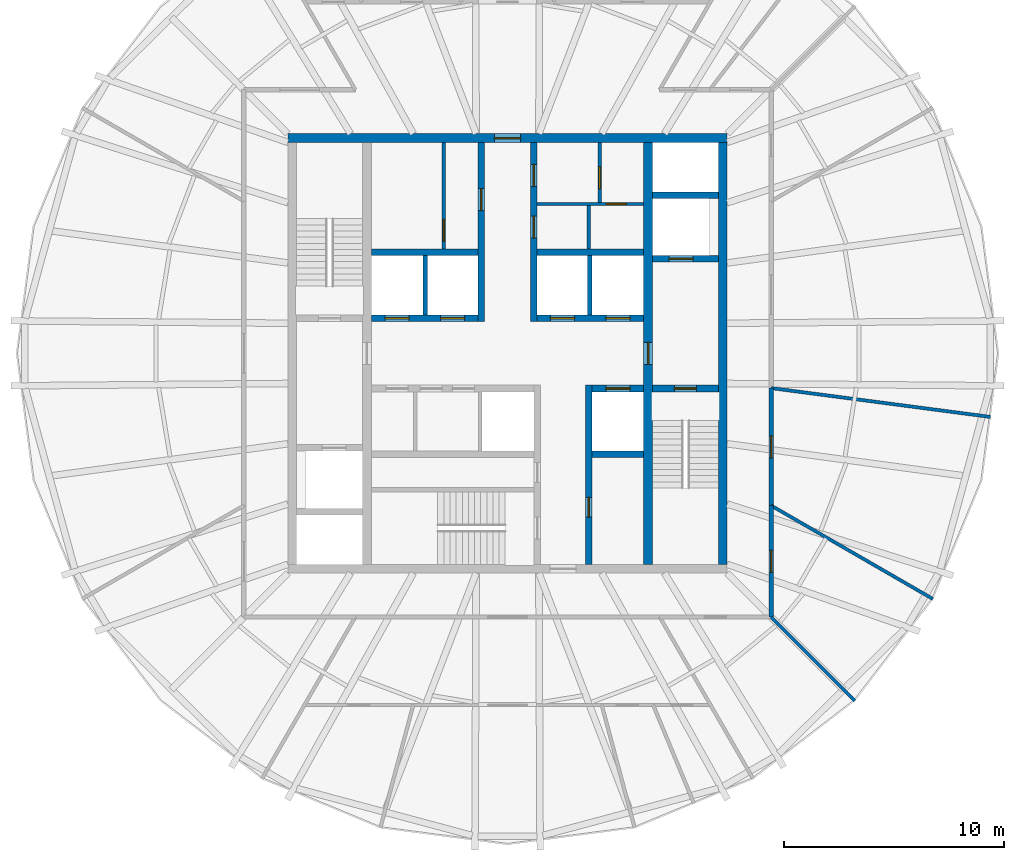
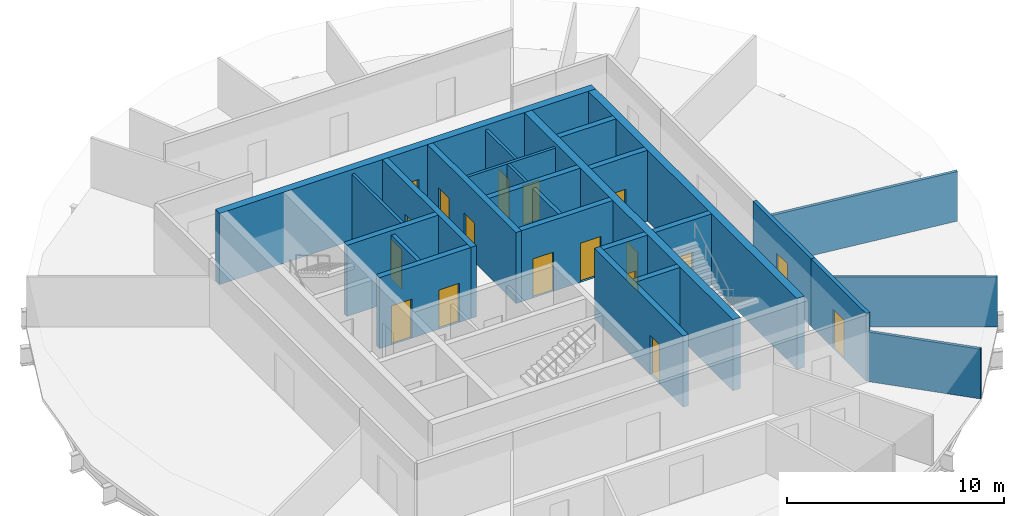
# One storey, part 4 of 6: 26 walls, 18 doors, 18 openings.
"""IFC4 building model written with IfcOpenShell, lengths in metres."""

from ifc_helpers import new_model, si_unit, direction, frame, frame_2d, origin, place, context, subcontext, project, spatial, rectangle, extrude, material, layer, layer_set, type_object, element, fill, save


model = new_model("IFC4")

# Units and contexts
model_context = context("Model", 3, precision=1e-05, world=origin(), true_north=direction((0.0, 1.0)))
body_context = subcontext(model_context, "Body", "Model", "MODEL_VIEW")
ifc_project = project(units=[si_unit("LENGTHUNIT", "METRE"), si_unit("AREAUNIT", "SQUARE_METRE"), si_unit("VOLUMEUNIT", "CUBIC_METRE"), si_unit("PLANEANGLEUNIT", "RADIAN"), si_unit("MASSUNIT", "GRAM", prefix="KILO")], contexts=[model_context])

# Site, building, storey
site_placement = place(None, origin())
site = spatial("IfcSite", under=ifc_project, at=site_placement, CompositionType="ELEMENT")
building_placement = place(site_placement, origin())
building = spatial("IfcBuilding", under=site, at=building_placement, Name="Golbaran Civic Tower", CompositionType="ELEMENT")
storey_placement = place(building_placement, frame((0.0, 0.0, 252.0)))
storey = spatial("IfcBuildingStorey", under=building, at=storey_placement, Name="L61", CompositionType="ELEMENT", Elevation=252.0)

# Wall, opening, door
ifc_material_1 = material(Name="Concrete block", Category="concrete")
ifc_layer_1 = layer(ifc_material_1, 0.14990234375, Name="Concrete block")
ifc_layer_set_1 = layer_set([ifc_layer_1], Name="Concrete block")
wall_type_1 = type_object("IfcWallType", Name="BLOCKWORK PARTITION 150", PredefinedType="PARTITIONING", material=ifc_layer_set_1)
wall_1_placement = place(storey_placement, frame((1.35009765625, 6.800048828125, 0.0), z_axis=(0.0, 0.0, 1.0), x_axis=(1.0, 0.0, 0.0)))
wall_1 = element("IfcWall", 1, at=wall_1_placement, inside=storey, type_object=wall_type_1, Name="Toilet block partition TN1 L61", PredefinedType="PARTITIONING", context=body_context, shape_type="SweptSolid", body=[
    extrude(rectangle(XDim=4.849853515625, YDim=0.14990234375, at=frame_2d((2.4248046875, 0.0))), origin(), (0.0, 0.0, 1.0), 3.75),
])
opening_1_placement = place(wall_1_placement, frame((3.14990234375, 0.0, 0.0)))
opening_1 = element("IfcOpeningElement", 2, at=opening_1_placement, cuts=wall_1, Name="Opening L61.CLN", PredefinedType="OPENING", context=body_context, shape_type="SweptSolid", body=[
    extrude(rectangle(XDim=0.89990234375, YDim=2.199951171875, at=frame_2d((0.449951171875, 1.10009765625))), frame((0.0, 0.0849609375, 0.0), z_axis=(0.0, -1.0, 0.0), x_axis=(1.0, 0.0, 0.0)), (0.0, 0.0, 1.0), 0.169921875),
])
ifc_material_2 = material(Name="Timber door set in steel frame", Category="steel")
door_type_1 = type_object("IfcDoorType", Name="RISER DOOR 900x2200", OperationType="SINGLE_SWING_LEFT", PredefinedType="DOOR", material=ifc_material_2)
door_1_placement = place(opening_1_placement, origin())
door_1 = element("IfcDoor", 3, at=door_1_placement, inside=storey, type_object=door_type_1, Name="Sanitary Supplies Store door", OperationType="SINGLE_SWING_RIGHT", OverallHeight=2.199951171875, OverallWidth=0.89990234375, PredefinedType="DOOR", context=body_context, shape_type="SweptSolid", body=[
    extrude(rectangle(XDim=0.89990234375, YDim=2.199951171875, at=frame_2d((0.449951171875, 1.10009765625))), frame((0.0, 0.02490234375, 0.0), z_axis=(0.0, -1.0, 0.0), x_axis=(1.0, 0.0, 0.0)), (0.0, 0.0, 1.0), 0.050048828125),
])
fill(opening_1, door_1)

# Wall
wall_2_placement = place(storey_placement, frame((3.699951171875, 4.75, 0.0), z_axis=(0.0, 0.0, 1.0), x_axis=(0.0, 1.0, 0.0)))
element("IfcWall", 4, at=wall_2_placement, inside=storey, type_object=wall_type_1, Name="Toilet block partition TN2 L61", PredefinedType="PARTITIONING", context=body_context, shape_type="SweptSolid", body=[
    extrude(rectangle(XDim=1.97509765625, YDim=0.14990234375, at=frame_2d((0.987548828125, 0.0))), origin(), (0.0, 0.0, 1.0), 3.75),
])

# Wall, opening, door
ifc_material_3 = material(Name="Concrete C50/60", Category="concrete")
ifc_layer_2 = layer(ifc_material_3, 0.39990234375, Name="Concrete C50/60")
ifc_layer_set_2 = layer_set([ifc_layer_2], Name="Concrete C50/60")
wall_type_2 = type_object("IfcWallType", Name="CORE WALL CONCRETE 400", PredefinedType="SOLIDWALL", material=ifc_layer_set_2)
wall_3_placement = place(storey_placement, frame((-10.0, 9.800048828125, 0.0), z_axis=(0.0, 0.0, 1.0), x_axis=(1.0, 0.0, 0.0)))
wall_3 = element("IfcWall", 5, at=wall_3_placement, inside=storey, type_object=wall_type_2, Name="Core wall CN L61", PredefinedType="SOLIDWALL", context=body_context, shape_type="SweptSolid", body=[
    extrude(rectangle(XDim=20.0, YDim=0.39990234375, at=frame_2d((10.0, 0.0))), origin(), (0.0, 0.0, 1.0), 4.0),
])
opening_2_placement = place(wall_3_placement, frame((9.39990234375, 0.0, 0.0)))
opening_2 = element("IfcOpeningElement", 6, at=opening_2_placement, cuts=wall_3, Name="Opening L61.CN", PredefinedType="OPENING", context=body_context, shape_type="SweptSolid", body=[
    extrude(rectangle(XDim=1.199951171875, YDim=2.199951171875, at=frame_2d((0.60009765625, 1.10009765625))), frame((0.0, 0.2099609375, 0.0), z_axis=(0.0, -1.0, 0.0), x_axis=(1.0, 0.0, 0.0)), (0.0, 0.0, 1.0), 0.419921875),
])
door_type_2 = type_object("IfcDoorType", Name="CORE DOOR 1200x2200", OperationType="DOUBLE_DOOR_SINGLE_SWING", PredefinedType="DOOR", material=ifc_material_2)
door_2_placement = place(opening_2_placement, origin())
door_2 = element("IfcDoor", 7, at=door_2_placement, inside=storey, type_object=door_type_2, Name="Core door north", OperationType="DOUBLE_DOOR_SINGLE_SWING", OverallHeight=2.199951171875, OverallWidth=1.199951171875, PredefinedType="DOOR", context=body_context, shape_type="SweptSolid", body=[
    extrude(rectangle(XDim=1.199951171875, YDim=2.199951171875, at=frame_2d((0.60009765625, 1.10009765625))), frame((0.0, 0.02490234375, 0.0), z_axis=(0.0, -1.0, 0.0), x_axis=(1.0, 0.0, 0.0)), (0.0, 0.0, 1.0), 0.050048828125),
])
fill(opening_2, door_2)

# Wall
wall_4_placement = place(storey_placement, frame((9.800048828125, -9.60009765625, 0.0), z_axis=(0.0, 0.0, 1.0), x_axis=(0.0, 1.0, 0.0)))
element("IfcWall", 8, at=wall_4_placement, inside=storey, type_object=wall_type_2, Name="Core wall CE L61", PredefinedType="SOLIDWALL", context=body_context, shape_type="SweptSolid", body=[
    extrude(rectangle(XDim=19.2001953125, YDim=0.39990234375, at=frame_2d((9.60009765625, 0.0))), origin(), (0.0, 0.0, 1.0), 4.0),
])

# Wall, opening, door
wall_5_placement = place(storey_placement, frame((6.39990234375, 9.60009765625, 0.0), z_axis=(0.0, 0.0, 1.0), x_axis=(0.0, -1.0, 0.0)))
wall_5 = element("IfcWall", 9, at=wall_5_placement, inside=storey, type_object=wall_type_2, Name="Core wall IE L61", PredefinedType="SOLIDWALL", context=body_context, shape_type="SweptSolid", body=[
    extrude(rectangle(XDim=19.2001953125, YDim=0.39990234375, at=frame_2d((9.60009765625, 0.0))), origin(), (0.0, 0.0, 1.0), 4.0),
])
opening_3_placement = place(wall_5_placement, frame((9.10009765625, 0.0, 0.0)))
opening_3 = element("IfcOpeningElement", 10, at=opening_3_placement, cuts=wall_5, Name="Opening L61.FL2", PredefinedType="OPENING", context=body_context, shape_type="SweptSolid", body=[
    extrude(rectangle(XDim=1.0, YDim=2.199951171875, at=frame_2d((0.5, 1.10009765625))), frame((0.0, 0.2099609375, 0.0), z_axis=(0.0, -1.0, 0.0), x_axis=(1.0, 0.0, 0.0)), (0.0, 0.0, 1.0), 0.419921875),
])
door_type_3 = type_object("IfcDoorType", Name="STAIR DOOR 1000x2200", OperationType="SINGLE_SWING_LEFT", PredefinedType="DOOR", material=ifc_material_2)
door_3_placement = place(opening_3_placement, origin())
door_3 = element("IfcDoor", 11, at=door_3_placement, inside=storey, type_object=door_type_3, Name="Fire-fighting lobby FL2 door", OperationType="SINGLE_SWING_RIGHT", OverallHeight=2.199951171875, OverallWidth=1.0, PredefinedType="DOOR", context=body_context, shape_type="SweptSolid", body=[
    extrude(rectangle(XDim=1.0, YDim=2.199951171875, at=frame_2d((0.5, 1.10009765625))), frame((0.0, 0.02490234375, 0.0), z_axis=(0.0, -1.0, 0.0), x_axis=(1.0, 0.0, 0.0)), (0.0, 0.0, 1.0), 0.050048828125),
])
fill(opening_3, door_3)

ifc_material_4 = material(Name="Gypsum board on steel studs, fire-rated", Category="steel")
ifc_layer_3 = layer(ifc_material_4, 0.199951171875, Name="Gypsum board on steel studs, fire-rated")
ifc_layer_set_3 = layer_set([ifc_layer_3], Name="Gypsum board on steel studs, fire-rated")
wall_type_3 = type_object("IfcWallType", Name="CORRIDOR WALL 200", PredefinedType="PARTITIONING", material=ifc_layer_set_3)
wall_6_placement = place(storey_placement, frame((12.0, -6.92822265625, 0.0), z_axis=(0.0, 0.0, 1.0), x_axis=(0.0, 1.0, 0.0)))
wall_6 = element("IfcWall", 12, at=wall_6_placement, inside=storey, type_object=wall_type_3, Name="Corridor wall L61", PredefinedType="PARTITIONING", context=body_context, shape_type="SweptSolid", body=[
    extrude(rectangle(XDim=5.348388671875, YDim=0.199951171875, at=frame_2d((2.67431640625, 0.0))), origin(), (0.0, 0.0, 1.0), 3.800048828125),
])
opening_4_placement = place(wall_6_placement, frame((2.174072265625, 0.0, 0.0)))
opening_4 = element("IfcOpeningElement", 13, at=opening_4_placement, cuts=wall_6, Name="Opening L61.10", PredefinedType="OPENING", context=body_context, shape_type="SweptSolid", body=[
    extrude(rectangle(XDim=1.0, YDim=2.199951171875, at=frame_2d((0.5, 1.10009765625))), frame((0.0, 0.10986328125, 0.0), z_axis=(0.0, -1.0, 0.0), x_axis=(1.0, 0.0, 0.0)), (0.0, 0.0, 1.0), 0.219970703125),
])
door_type_4 = type_object("IfcDoorType", Name="OFFICE DOOR 1000x2200", OperationType="SINGLE_SWING_LEFT", PredefinedType="DOOR", material=ifc_material_2)
door_4_placement = place(opening_4_placement, origin())
door_4 = element("IfcDoor", 14, at=door_4_placement, inside=storey, type_object=door_type_4, Name="Meeting Room door L61", OperationType="SINGLE_SWING_LEFT", OverallHeight=2.199951171875, OverallWidth=1.0, PredefinedType="DOOR", context=body_context, shape_type="SweptSolid", body=[
    extrude(rectangle(XDim=1.0, YDim=2.199951171875, at=frame_2d((0.5, 1.10009765625))), frame((0.0, 0.02490234375, 0.0), z_axis=(0.0, -1.0, 0.0), x_axis=(1.0, 0.0, 0.0)), (0.0, 0.0, 1.0), 0.050048828125),
])
fill(opening_4, door_4)

wall_7_placement = place(storey_placement, frame((12.0, -12.0, 0.0), z_axis=(0.0, 0.0, 1.0), x_axis=(0.0, 1.0, 0.0)))
wall_7 = element("IfcWall", 15, at=wall_7_placement, inside=storey, type_object=wall_type_3, Name="Corridor wall L61", PredefinedType="PARTITIONING", context=body_context, shape_type="SweptSolid", body=[
    extrude(rectangle(XDim=5.07177734375, YDim=0.199951171875, at=frame_2d((2.535888671875, 0.0))), origin(), (0.0, 0.0, 1.0), 3.800048828125),
])
opening_5_placement = place(wall_7_placement, frame((2.035888671875, 0.0, 0.0)))
opening_5 = element("IfcOpeningElement", 16, at=opening_5_placement, cuts=wall_7, Name="Opening L61.20", PredefinedType="OPENING", context=body_context, shape_type="SweptSolid", body=[
    extrude(rectangle(XDim=1.0, YDim=2.199951171875, at=frame_2d((0.5, 1.10009765625))), frame((0.0, 0.10986328125, 0.0), z_axis=(0.0, -1.0, 0.0), x_axis=(1.0, 0.0, 0.0)), (0.0, 0.0, 1.0), 0.219970703125),
])
door_5_placement = place(opening_5_placement, origin())
door_5 = element("IfcDoor", 17, at=door_5_placement, inside=storey, type_object=door_type_4, Name="Store door L61", OperationType="SINGLE_SWING_LEFT", OverallHeight=2.199951171875, OverallWidth=1.0, PredefinedType="DOOR", context=body_context, shape_type="SweptSolid", body=[
    extrude(rectangle(XDim=1.0, YDim=2.199951171875, at=frame_2d((0.5, 1.10009765625))), frame((0.0, 0.02490234375, 0.0), z_axis=(0.0, -1.0, 0.0), x_axis=(1.0, 0.0, 0.0)), (0.0, 0.0, 1.0), 0.050048828125),
])
fill(opening_5, door_5)

# Walls
ifc_layer_4 = layer(ifc_material_1, 0.199951171875, Name="Concrete block")
ifc_layer_set_4 = layer_set([ifc_layer_4], Name="Concrete block")
wall_type_4 = type_object("IfcWallType", Name="LIFT SEPARATOR WALL 200", PredefinedType="SOLIDWALL", material=ifc_layer_set_4)
for number, where, z_axis, x_axis, name in (
    (18, (-3.75, 1.75, 0.0), (0.0, 0.0, 1.0), (0.0, 1.0, 0.0), "Core partition SNW L61"),
    (19, (3.75, 1.75, 0.0), (0.0, 0.0, 1.0), (0.0, 1.0, 0.0), "Core partition SNE L61"),
):
    element("IfcWall", number, at=place(storey_placement, frame(where, z_axis=z_axis, x_axis=x_axis)), inside=storey, type_object=wall_type_4, Name=name, PredefinedType="SOLIDWALL", context=body_context, shape_type="SweptSolid", body=[
        extrude(rectangle(XDim=2.699951171875, YDim=0.199951171875, at=frame_2d((1.35009765625, 0.0))), origin(), (0.0, 0.0, 1.0), 3.75),
    ])
ifc_material_5 = material(Name="Gypsum board on steel studs", Category="steel")
ifc_layer_5 = layer(ifc_material_5, 0.14990234375, Name="Gypsum board on steel studs")
ifc_layer_set_5 = layer_set([ifc_layer_5], Name="Gypsum board on steel studs")
wall_type_5 = type_object("IfcWallType", Name="OFFICE PARTITION 150", PredefinedType="PARTITIONING", material=ifc_layer_set_5)
wall_8_placement = place(storey_placement, frame((12.0, -6.92822265625, 0.0), z_axis=(0.0, 0.0, 1.0), x_axis=(0.866026401553, -0.49999827181, 0.0)))
element("IfcWall", 20, at=wall_8_placement, inside=storey, type_object=wall_type_5, Name="Partition 330 L61", PredefinedType="PARTITIONING", context=body_context, shape_type="SweptSolid", body=[
    extrude(rectangle(XDim=8.5048828125, YDim=0.14990234375, at=frame_2d((4.25244140625, 0.0))), origin(), (0.0, 0.0, 1.0), 2.7900390625),
])
wall_9_placement = place(storey_placement, frame((12.0, -1.579833984375, 0.0), z_axis=(0.0, 0.0, 1.0), x_axis=(0.991444304105, -0.130530425027, 0.0)))
element("IfcWall", 21, at=wall_9_placement, inside=storey, type_object=wall_type_5, Name="Partition 352.5 L61", PredefinedType="PARTITIONING", context=body_context, shape_type="SweptSolid", body=[
    extrude(rectangle(XDim=10.06640625, YDim=0.14990234375, at=frame_2d((5.033203125, 0.0))), origin(), (0.0, 0.0, 1.0), 2.7900390625),
])
wall_10_placement = place(storey_placement, frame((12.0, -12.0, 0.0), z_axis=(0.0, 0.0, 1.0), x_axis=(0.707106781187, -0.707106781187, 0.0)))
element("IfcWall", 22, at=wall_10_placement, inside=storey, type_object=wall_type_5, Name="Partition 315 L61", PredefinedType="PARTITIONING", context=body_context, shape_type="SweptSolid", body=[
    extrude(rectangle(XDim=5.390625, YDim=0.14990234375, at=frame_2d((2.6953125, 0.0))), origin(), (0.0, 0.0, 1.0), 2.7900390625),
])

# Wall, openings, doors
ifc_layer_6 = layer(ifc_material_3, 0.300048828125, Name="Concrete C50/60")
ifc_layer_set_6 = layer_set([ifc_layer_6], Name="Concrete C50/60")
wall_type_6 = type_object("IfcWallType", Name="SHAFT WALL CONCRETE 300", PredefinedType="SOLIDWALL", material=ifc_layer_set_6)
wall_11_placement = place(storey_placement, frame((-6.199951171875, 1.60009765625, 0.0), z_axis=(0.0, 0.0, 1.0), x_axis=(1.0, 0.0, 0.0)))
wall_11 = element("IfcWall", 23, at=wall_11_placement, inside=storey, type_object=wall_type_6, Name="Core wall FNW L61", PredefinedType="SOLIDWALL", context=body_context, shape_type="SweptSolid", body=[
    extrude(rectangle(XDim=4.849853515625, YDim=0.300048828125, at=frame_2d((2.4248046875, 0.0))), origin(), (0.0, 0.0, 1.0), 4.0),
])
opening_6_placement = place(wall_11_placement, frame((0.625, 0.0, 0.0)))
opening_6 = element("IfcOpeningElement", 24, at=opening_6_placement, cuts=wall_11, Name="Opening L61.LD-Z1T", PredefinedType="OPENING", context=body_context, shape_type="SweptSolid", body=[
    extrude(rectangle(XDim=1.10009765625, YDim=2.199951171875, at=frame_2d((0.550048828125, 1.10009765625))), frame((0.0, 0.159912109375, 0.0), z_axis=(0.0, -1.0, 0.0), x_axis=(1.0, 0.0, 0.0)), (0.0, 0.0, 1.0), 0.320068359375),
])
opening_7_placement = place(wall_11_placement, frame((3.14990234375, 0.0, 0.0)))
opening_7 = element("IfcOpeningElement", 25, at=opening_7_placement, cuts=wall_11, Name="Opening L61.LD-Z2T", PredefinedType="OPENING", context=body_context, shape_type="SweptSolid", body=[
    extrude(rectangle(XDim=1.10009765625, YDim=2.199951171875, at=frame_2d((0.550048828125, 1.10009765625))), frame((0.0, 0.159912109375, 0.0), z_axis=(0.0, -1.0, 0.0), x_axis=(1.0, 0.0, 0.0)), (0.0, 0.0, 1.0), 0.320068359375),
])
ifc_material_6 = material(Name="Stainless steel", Category="steel")
door_type_5 = type_object("IfcDoorType", Name="LIFT LANDING DOOR 1100x2200", OperationType="SLIDING_TO_LEFT", PredefinedType="DOOR", material=ifc_material_6)
door_6_placement = place(opening_6_placement, origin())
door_6 = element("IfcDoor", 26, at=door_6_placement, inside=storey, type_object=door_type_5, Name="Lift landing door Z1T", OperationType="SLIDING_TO_LEFT", OverallHeight=2.199951171875, OverallWidth=1.10009765625, PredefinedType="DOOR", context=body_context, shape_type="SweptSolid", body=[
    extrude(rectangle(XDim=1.10009765625, YDim=2.199951171875, at=frame_2d((0.550048828125, 1.10009765625))), frame((0.0, 0.02490234375, 0.0), z_axis=(0.0, -1.0, 0.0), x_axis=(1.0, 0.0, 0.0)), (0.0, 0.0, 1.0), 0.050048828125),
])
fill(opening_6, door_6)
door_7_placement = place(opening_7_placement, origin())
door_7 = element("IfcDoor", 27, at=door_7_placement, inside=storey, type_object=door_type_5, Name="Lift landing door Z2T", OperationType="SLIDING_TO_LEFT", OverallHeight=2.199951171875, OverallWidth=1.10009765625, PredefinedType="DOOR", context=body_context, shape_type="SweptSolid", body=[
    extrude(rectangle(XDim=1.10009765625, YDim=2.199951171875, at=frame_2d((0.550048828125, 1.10009765625))), frame((0.0, 0.02490234375, 0.0), z_axis=(0.0, -1.0, 0.0), x_axis=(1.0, 0.0, 0.0)), (0.0, 0.0, 1.0), 0.050048828125),
])
fill(opening_7, door_7)

wall_12_placement = place(storey_placement, frame((1.35009765625, 1.60009765625, 0.0), z_axis=(0.0, 0.0, 1.0), x_axis=(1.0, 0.0, 0.0)))
wall_12 = element("IfcWall", 28, at=wall_12_placement, inside=storey, type_object=wall_type_6, Name="Core wall FNE L61", PredefinedType="SOLIDWALL", context=body_context, shape_type="SweptSolid", body=[
    extrude(rectangle(XDim=4.849853515625, YDim=0.300048828125, at=frame_2d((2.4248046875, 0.0))), origin(), (0.0, 0.0, 1.0), 4.0),
])
opening_8_placement = place(wall_12_placement, frame((0.60009765625, 0.0, 0.0)))
opening_8 = element("IfcOpeningElement", 29, at=opening_8_placement, cuts=wall_12, Name="Opening L61.LD-Z3T", PredefinedType="OPENING", context=body_context, shape_type="SweptSolid", body=[
    extrude(rectangle(XDim=1.10009765625, YDim=2.199951171875, at=frame_2d((0.550048828125, 1.10009765625))), frame((0.0, 0.159912109375, 0.0), z_axis=(0.0, -1.0, 0.0), x_axis=(1.0, 0.0, 0.0)), (0.0, 0.0, 1.0), 0.320068359375),
])
opening_9_placement = place(wall_12_placement, frame((3.125, 0.0, 0.0)))
opening_9 = element("IfcOpeningElement", 30, at=opening_9_placement, cuts=wall_12, Name="Opening L61.LD-Z4T", PredefinedType="OPENING", context=body_context, shape_type="SweptSolid", body=[
    extrude(rectangle(XDim=1.10009765625, YDim=2.199951171875, at=frame_2d((0.550048828125, 1.10009765625))), frame((0.0, 0.159912109375, 0.0), z_axis=(0.0, -1.0, 0.0), x_axis=(1.0, 0.0, 0.0)), (0.0, 0.0, 1.0), 0.320068359375),
])
door_8_placement = place(opening_8_placement, origin())
door_8 = element("IfcDoor", 31, at=door_8_placement, inside=storey, type_object=door_type_5, Name="Lift landing door Z3T", OperationType="SLIDING_TO_LEFT", OverallHeight=2.199951171875, OverallWidth=1.10009765625, PredefinedType="DOOR", context=body_context, shape_type="SweptSolid", body=[
    extrude(rectangle(XDim=1.10009765625, YDim=2.199951171875, at=frame_2d((0.550048828125, 1.10009765625))), frame((0.0, 0.02490234375, 0.0), z_axis=(0.0, -1.0, 0.0), x_axis=(1.0, 0.0, 0.0)), (0.0, 0.0, 1.0), 0.050048828125),
])
fill(opening_8, door_8)
door_9_placement = place(opening_9_placement, origin())
door_9 = element("IfcDoor", 32, at=door_9_placement, inside=storey, type_object=door_type_5, Name="Lift landing door Z4T", OperationType="SLIDING_TO_LEFT", OverallHeight=2.199951171875, OverallWidth=1.10009765625, PredefinedType="DOOR", context=body_context, shape_type="SweptSolid", body=[
    extrude(rectangle(XDim=1.10009765625, YDim=2.199951171875, at=frame_2d((0.550048828125, 1.10009765625))), frame((0.0, 0.02490234375, 0.0), z_axis=(0.0, -1.0, 0.0), x_axis=(1.0, 0.0, 0.0)), (0.0, 0.0, 1.0), 0.050048828125),
])
fill(opening_9, door_9)

# Walls
for number, where, z_axis, x_axis, name in (
    (33, (-6.199951171875, 4.60009765625, 0.0), (0.0, 0.0, 1.0), (1.0, 0.0, 0.0), "Core wall BNW L61"),
    (34, (1.35009765625, 4.60009765625, 0.0), (0.0, 0.0, 1.0), (1.0, 0.0, 0.0), "Core wall BNE L61"),
):
    element("IfcWall", number, at=place(storey_placement, frame(where, z_axis=z_axis, x_axis=x_axis)), inside=storey, type_object=wall_type_6, Name=name, PredefinedType="SOLIDWALL", context=body_context, shape_type="SweptSolid", body=[
        extrude(rectangle(XDim=4.849853515625, YDim=0.300048828125, at=frame_2d((2.4248046875, 0.0))), origin(), (0.0, 0.0, 1.0), 4.0),
    ])

# Wall, opening, door
wall_13_placement = place(storey_placement, frame((-1.199951171875, 1.449951171875, 0.0), z_axis=(0.0, 0.0, 1.0), x_axis=(0.0, 1.0, 0.0)))
wall_13 = element("IfcWall", 35, at=wall_13_placement, inside=storey, type_object=wall_type_6, Name="Core wall PNW L61", PredefinedType="SOLIDWALL", context=body_context, shape_type="SweptSolid", body=[
    extrude(rectangle(XDim=8.150146484375, YDim=0.300048828125, at=frame_2d((4.0751953125, 0.0))), origin(), (0.0, 0.0, 1.0), 4.0),
])
opening_10_placement = place(wall_13_placement, frame((5.050048828125, 0.0, 0.0)))
opening_10 = element("IfcOpeningElement", 36, at=opening_10_placement, cuts=wall_13, Name="Opening L61.WCM", PredefinedType="OPENING", context=body_context, shape_type="SweptSolid", body=[
    extrude(rectangle(XDim=1.0, YDim=2.199951171875, at=frame_2d((0.5, 1.10009765625))), frame((0.0, 0.159912109375, 0.0), z_axis=(0.0, -1.0, 0.0), x_axis=(1.0, 0.0, 0.0)), (0.0, 0.0, 1.0), 0.320068359375),
])
door_type_6 = type_object("IfcDoorType", Name="TOILET DOOR 1000x2200", OperationType="SINGLE_SWING_LEFT", PredefinedType="DOOR", material=ifc_material_2)
door_10_placement = place(opening_10_placement, origin())
door_10 = element("IfcDoor", 37, at=door_10_placement, inside=storey, type_object=door_type_6, Name="North-west toilet block door", OperationType="SINGLE_SWING_RIGHT", OverallHeight=2.199951171875, OverallWidth=1.0, PredefinedType="DOOR", context=body_context, shape_type="SweptSolid", body=[
    extrude(rectangle(XDim=1.0, YDim=2.199951171875, at=frame_2d((0.5, 1.10009765625))), frame((0.0, 0.02490234375, 0.0), z_axis=(0.0, -1.0, 0.0), x_axis=(1.0, 0.0, 0.0)), (0.0, 0.0, 1.0), 0.050048828125),
])
fill(opening_10, door_10)

# Wall, openings, doors
wall_14_placement = place(storey_placement, frame((1.199951171875, 1.449951171875, 0.0), z_axis=(0.0, 0.0, 1.0), x_axis=(0.0, 1.0, 0.0)))
wall_14 = element("IfcWall", 38, at=wall_14_placement, inside=storey, type_object=wall_type_6, Name="Core wall PNE L61", PredefinedType="SOLIDWALL", context=body_context, shape_type="SweptSolid", body=[
    extrude(rectangle(XDim=8.150146484375, YDim=0.300048828125, at=frame_2d((4.0751953125, 0.0))), origin(), (0.0, 0.0, 1.0), 4.0),
])
opening_11_placement = place(wall_14_placement, frame((3.800048828125, 0.0, 0.0)))
opening_11 = element("IfcOpeningElement", 39, at=opening_11_placement, cuts=wall_14, Name="Opening L61.WCA", PredefinedType="OPENING", context=body_context, shape_type="SweptSolid", body=[
    extrude(rectangle(XDim=1.0, YDim=2.199951171875, at=frame_2d((0.5, 1.10009765625))), frame((0.0, 0.159912109375, 0.0), z_axis=(0.0, -1.0, 0.0), x_axis=(1.0, 0.0, 0.0)), (0.0, 0.0, 1.0), 0.320068359375),
])
opening_12_placement = place(wall_14_placement, frame((6.14990234375, 0.0, 0.0)))
opening_12 = element("IfcOpeningElement", 40, at=opening_12_placement, cuts=wall_14, Name="Opening L61.WCF", PredefinedType="OPENING", context=body_context, shape_type="SweptSolid", body=[
    extrude(rectangle(XDim=1.0, YDim=2.199951171875, at=frame_2d((0.5, 1.10009765625))), frame((0.0, 0.159912109375, 0.0), z_axis=(0.0, -1.0, 0.0), x_axis=(1.0, 0.0, 0.0)), (0.0, 0.0, 1.0), 0.320068359375),
])
door_11_placement = place(opening_11_placement, origin())
door_11 = element("IfcDoor", 41, at=door_11_placement, inside=storey, type_object=door_type_6, Name="Accessible WC door", OperationType="SINGLE_SWING_RIGHT", OverallHeight=2.199951171875, OverallWidth=1.0, PredefinedType="DOOR", context=body_context, shape_type="SweptSolid", body=[
    extrude(rectangle(XDim=1.0, YDim=2.199951171875, at=frame_2d((0.5, 1.10009765625))), frame((0.0, 0.02490234375, 0.0), z_axis=(0.0, -1.0, 0.0), x_axis=(1.0, 0.0, 0.0)), (0.0, 0.0, 1.0), 0.050048828125),
])
fill(opening_11, door_11)
door_12_placement = place(opening_12_placement, origin())
door_12 = element("IfcDoor", 42, at=door_12_placement, inside=storey, type_object=door_type_6, Name="North-east toilet block door", OperationType="SINGLE_SWING_RIGHT", OverallHeight=2.199951171875, OverallWidth=1.0, PredefinedType="DOOR", context=body_context, shape_type="SweptSolid", body=[
    extrude(rectangle(XDim=1.0, YDim=2.199951171875, at=frame_2d((0.5, 1.10009765625))), frame((0.0, 0.02490234375, 0.0), z_axis=(0.0, -1.0, 0.0), x_axis=(1.0, 0.0, 0.0)), (0.0, 0.0, 1.0), 0.050048828125),
])
fill(opening_12, door_12)

# Wall, opening, door
wall_15_placement = place(storey_placement, frame((3.85009765625, -1.60009765625, 0.0), z_axis=(0.0, 0.0, 1.0), x_axis=(1.0, 0.0, 0.0)))
wall_15 = element("IfcWall", 43, at=wall_15_placement, inside=storey, type_object=wall_type_6, Name="Core wall FSE L61", PredefinedType="SOLIDWALL", context=body_context, shape_type="SweptSolid", body=[
    extrude(rectangle(XDim=2.349853515625, YDim=0.300048828125, at=frame_2d((1.1748046875, 0.0))), origin(), (0.0, 0.0, 1.0), 4.0),
])
opening_13_placement = place(wall_15_placement, frame((0.625, 0.0, 0.0)))
opening_13 = element("IfcOpeningElement", 44, at=opening_13_placement, cuts=wall_15, Name="Opening L61.LD-V1", PredefinedType="OPENING", context=body_context, shape_type="SweptSolid", body=[
    extrude(rectangle(XDim=1.10009765625, YDim=2.199951171875, at=frame_2d((0.550048828125, 1.10009765625))), frame((0.0, 0.159912109375, 0.0), z_axis=(0.0, -1.0, 0.0), x_axis=(1.0, 0.0, 0.0)), (0.0, 0.0, 1.0), 0.320068359375),
])
door_13_placement = place(opening_13_placement, origin())
door_13 = element("IfcDoor", 45, at=door_13_placement, inside=storey, type_object=door_type_5, Name="Lift landing door V1", OperationType="SLIDING_TO_LEFT", OverallHeight=2.199951171875, OverallWidth=1.10009765625, PredefinedType="DOOR", context=body_context, shape_type="SweptSolid", body=[
    extrude(rectangle(XDim=1.10009765625, YDim=2.199951171875, at=frame_2d((0.550048828125, 1.10009765625))), frame((0.0, 0.02490234375, 0.0), z_axis=(0.0, -1.0, 0.0), x_axis=(1.0, 0.0, 0.0)), (0.0, 0.0, 1.0), 0.050048828125),
])
fill(opening_13, door_13)

# Wall
wall_16_placement = place(storey_placement, frame((3.85009765625, -4.60009765625, 0.0), z_axis=(0.0, 0.0, 1.0), x_axis=(1.0, 0.0, 0.0)))
element("IfcWall", 46, at=wall_16_placement, inside=storey, type_object=wall_type_6, Name="Core wall BSE L61", PredefinedType="SOLIDWALL", context=body_context, shape_type="SweptSolid", body=[
    extrude(rectangle(XDim=2.349853515625, YDim=0.300048828125, at=frame_2d((1.1748046875, 0.0))), origin(), (0.0, 0.0, 1.0), 4.0),
])

# Wall, opening, door
wall_17_placement = place(storey_placement, frame((3.699951171875, -1.449951171875, 0.0), z_axis=(0.0, 0.0, 1.0), x_axis=(0.0, -1.0, 0.0)))
wall_17 = element("IfcWall", 47, at=wall_17_placement, inside=storey, type_object=wall_type_6, Name="Core wall PSE L61", PredefinedType="SOLIDWALL", context=body_context, shape_type="SweptSolid", body=[
    extrude(rectangle(XDim=8.150146484375, YDim=0.300048828125, at=frame_2d((4.0751953125, 0.0))), origin(), (0.0, 0.0, 1.0), 4.0),
])
opening_14_placement = place(wall_17_placement, frame((5.10009765625, 0.0, 0.0)))
opening_14 = element("IfcOpeningElement", 48, at=opening_14_placement, cuts=wall_17, Name="Opening L61.RM", PredefinedType="OPENING", context=body_context, shape_type="SweptSolid", body=[
    extrude(rectangle(XDim=0.89990234375, YDim=2.199951171875, at=frame_2d((0.449951171875, 1.10009765625))), frame((0.0, 0.159912109375, 0.0), z_axis=(0.0, -1.0, 0.0), x_axis=(1.0, 0.0, 0.0)), (0.0, 0.0, 1.0), 0.320068359375),
])
door_14_placement = place(opening_14_placement, origin())
door_14 = element("IfcDoor", 49, at=door_14_placement, inside=storey, type_object=door_type_1, Name="Mechanical riser door", OperationType="SINGLE_SWING_RIGHT", OverallHeight=2.199951171875, OverallWidth=0.89990234375, PredefinedType="DOOR", context=body_context, shape_type="SweptSolid", body=[
    extrude(rectangle(XDim=0.89990234375, YDim=2.199951171875, at=frame_2d((0.449951171875, 1.10009765625))), frame((0.0, 0.02490234375, 0.0), z_axis=(0.0, -1.0, 0.0), x_axis=(1.0, 0.0, 0.0)), (0.0, 0.0, 1.0), 0.050048828125),
])
fill(opening_14, door_14)

wall_18_placement = place(storey_placement, frame((6.60009765625, -1.60009765625, 0.0), z_axis=(0.0, 0.0, 1.0), x_axis=(1.0, 0.0, 0.0)))
wall_18 = element("IfcWall", 50, at=wall_18_placement, inside=storey, type_object=wall_type_6, Name="Core wall XE1 L61", PredefinedType="SOLIDWALL", context=body_context, shape_type="SweptSolid", body=[
    extrude(rectangle(XDim=3.0, YDim=0.300048828125, at=frame_2d((1.5, 0.0))), origin(), (0.0, 0.0, 1.0), 4.0),
])
opening_15_placement = place(wall_18_placement, frame((1.0, 0.0, 0.0)))
opening_15 = element("IfcOpeningElement", 51, at=opening_15_placement, cuts=wall_18, Name="Opening L61.S2", PredefinedType="OPENING", context=body_context, shape_type="SweptSolid", body=[
    extrude(rectangle(XDim=1.0, YDim=2.199951171875, at=frame_2d((0.5, 1.10009765625))), frame((0.0, 0.159912109375, 0.0), z_axis=(0.0, -1.0, 0.0), x_axis=(1.0, 0.0, 0.0)), (0.0, 0.0, 1.0), 0.320068359375),
])
door_15_placement = place(opening_15_placement, origin())
door_15 = element("IfcDoor", 52, at=door_15_placement, inside=storey, type_object=door_type_3, Name="Stair S2 door", OperationType="SINGLE_SWING_LEFT", OverallHeight=2.199951171875, OverallWidth=1.0, PredefinedType="DOOR", context=body_context, shape_type="SweptSolid", body=[
    extrude(rectangle(XDim=1.0, YDim=2.199951171875, at=frame_2d((0.5, 1.10009765625))), frame((0.0, 0.02490234375, 0.0), z_axis=(0.0, -1.0, 0.0), x_axis=(1.0, 0.0, 0.0)), (0.0, 0.0, 1.0), 0.050048828125),
])
fill(opening_15, door_15)

wall_19_placement = place(storey_placement, frame((6.60009765625, 4.300048828125, 0.0), z_axis=(0.0, 0.0, 1.0), x_axis=(1.0, 0.0, 0.0)))
wall_19 = element("IfcWall", 53, at=wall_19_placement, inside=storey, type_object=wall_type_6, Name="Core wall XE2 L61", PredefinedType="SOLIDWALL", context=body_context, shape_type="SweptSolid", body=[
    extrude(rectangle(XDim=3.0, YDim=0.300048828125, at=frame_2d((1.5, 0.0))), origin(), (0.0, 0.0, 1.0), 4.0),
])
opening_16_placement = place(wall_19_placement, frame((0.75, 0.0, 0.0)))
opening_16 = element("IfcOpeningElement", 54, at=opening_16_placement, cuts=wall_19, Name="Opening L61.LD-F2", PredefinedType="OPENING", context=body_context, shape_type="SweptSolid", body=[
    extrude(rectangle(XDim=1.10009765625, YDim=2.199951171875, at=frame_2d((0.550048828125, 1.10009765625))), frame((0.0, 0.159912109375, 0.0), z_axis=(0.0, -1.0, 0.0), x_axis=(1.0, 0.0, 0.0)), (0.0, 0.0, 1.0), 0.320068359375),
])
door_16_placement = place(opening_16_placement, origin())
door_16 = element("IfcDoor", 55, at=door_16_placement, inside=storey, type_object=door_type_5, Name="Lift landing door F2", OperationType="SLIDING_TO_LEFT", OverallHeight=2.199951171875, OverallWidth=1.10009765625, PredefinedType="DOOR", context=body_context, shape_type="SweptSolid", body=[
    extrude(rectangle(XDim=1.10009765625, YDim=2.199951171875, at=frame_2d((0.550048828125, 1.10009765625))), frame((0.0, 0.02490234375, 0.0), z_axis=(0.0, -1.0, 0.0), x_axis=(1.0, 0.0, 0.0)), (0.0, 0.0, 1.0), 0.050048828125),
])
fill(opening_16, door_16)

# Wall
wall_20_placement = place(storey_placement, frame((6.60009765625, 7.199951171875, 0.0), z_axis=(0.0, 0.0, 1.0), x_axis=(1.0, 0.0, 0.0)))
element("IfcWall", 56, at=wall_20_placement, inside=storey, type_object=wall_type_6, Name="Core wall XE3 L61", PredefinedType="SOLIDWALL", context=body_context, shape_type="SweptSolid", body=[
    extrude(rectangle(XDim=3.0, YDim=0.300048828125, at=frame_2d((1.5, 0.0))), origin(), (0.0, 0.0, 1.0), 4.0),
])

# Wall, opening, door
ifc_material_7 = material(Name="Moisture-resistant gypsum board on steel studs", Category="steel")
ifc_layer_7 = layer(ifc_material_7, 0.14990234375, Name="Moisture-resistant gypsum board on steel studs")
ifc_layer_set_7 = layer_set([ifc_layer_7], Name="Moisture-resistant gypsum board on steel studs")
wall_type_7 = type_object("IfcWallType", Name="TOILET BLOCK PARTITION 150", PredefinedType="PARTITIONING", material=ifc_layer_set_7)
wall_21_placement = place(storey_placement, frame((4.199951171875, 6.875, 0.0), z_axis=(0.0, 0.0, 1.0), x_axis=(0.0, 1.0, 0.0)))
wall_21 = element("IfcWall", 57, at=wall_21_placement, inside=storey, type_object=wall_type_7, Name="Toilet block partition TN3 L61", PredefinedType="PARTITIONING", context=body_context, shape_type="SweptSolid", body=[
    extrude(rectangle(XDim=2.72509765625, YDim=0.14990234375, at=frame_2d((1.362548828125, 0.0))), origin(), (0.0, 0.0, 1.0), 3.75),
])
opening_17_placement = place(wall_21_placement, frame((0.625, 0.0, 0.0)))
opening_17 = element("IfcOpeningElement", 58, at=opening_17_placement, cuts=wall_21, Name="Opening L61.09", PredefinedType="OPENING", context=body_context, shape_type="SweptSolid", body=[
    extrude(rectangle(XDim=1.0, YDim=2.199951171875, at=frame_2d((0.5, 1.10009765625))), frame((0.0, 0.0849609375, 0.0), z_axis=(0.0, -1.0, 0.0), x_axis=(1.0, 0.0, 0.0)), (0.0, 0.0, 1.0), 0.169921875),
])
door_17_placement = place(opening_17_placement, origin())
door_17 = element("IfcDoor", 59, at=door_17_placement, inside=storey, type_object=door_type_6, Name="Parents' room door", OperationType="SINGLE_SWING_LEFT", OverallHeight=2.199951171875, OverallWidth=1.0, PredefinedType="DOOR", context=body_context, shape_type="SweptSolid", body=[
    extrude(rectangle(XDim=1.0, YDim=2.199951171875, at=frame_2d((0.5, 1.10009765625))), frame((0.0, 0.02490234375, 0.0), z_axis=(0.0, -1.0, 0.0), x_axis=(1.0, 0.0, 0.0)), (0.0, 0.0, 1.0), 0.050048828125),
])
fill(opening_17, door_17)

wall_22_placement = place(storey_placement, frame((-2.89990234375, 4.75, 0.0), z_axis=(0.0, 0.0, 1.0), x_axis=(0.0, 1.0, 0.0)))
wall_22 = element("IfcWall", 60, at=wall_22_placement, inside=storey, type_object=wall_type_7, Name="Toilet block partition MWL L61", PredefinedType="PARTITIONING", context=body_context, shape_type="SweptSolid", body=[
    extrude(rectangle(XDim=4.85009765625, YDim=0.14990234375, at=frame_2d((2.425048828125, 0.0))), origin(), (0.0, 0.0, 1.0), 3.75),
])
opening_18_placement = place(wall_22_placement, frame((0.35009765625, 0.0, 0.0)))
opening_18 = element("IfcOpeningElement", 61, at=opening_18_placement, cuts=wall_22, Name="Opening L61.21", PredefinedType="OPENING", context=body_context, shape_type="SweptSolid", body=[
    extrude(rectangle(XDim=1.0, YDim=2.199951171875, at=frame_2d((0.5, 1.10009765625))), frame((0.0, 0.0849609375, 0.0), z_axis=(0.0, -1.0, 0.0), x_axis=(1.0, 0.0, 0.0)), (0.0, 0.0, 1.0), 0.169921875),
])
door_18_placement = place(opening_18_placement, origin())
door_18 = element("IfcDoor", 62, at=door_18_placement, inside=storey, type_object=door_type_6, Name="Male WC door", OperationType="SINGLE_SWING_LEFT", OverallHeight=2.199951171875, OverallWidth=1.0, PredefinedType="DOOR", context=body_context, shape_type="SweptSolid", body=[
    extrude(rectangle(XDim=1.0, YDim=2.199951171875, at=frame_2d((0.5, 1.10009765625))), frame((0.0, 0.02490234375, 0.0), z_axis=(0.0, -1.0, 0.0), x_axis=(1.0, 0.0, 0.0)), (0.0, 0.0, 1.0), 0.050048828125),
])
fill(opening_18, door_18)

save(model, "model.ifc")
